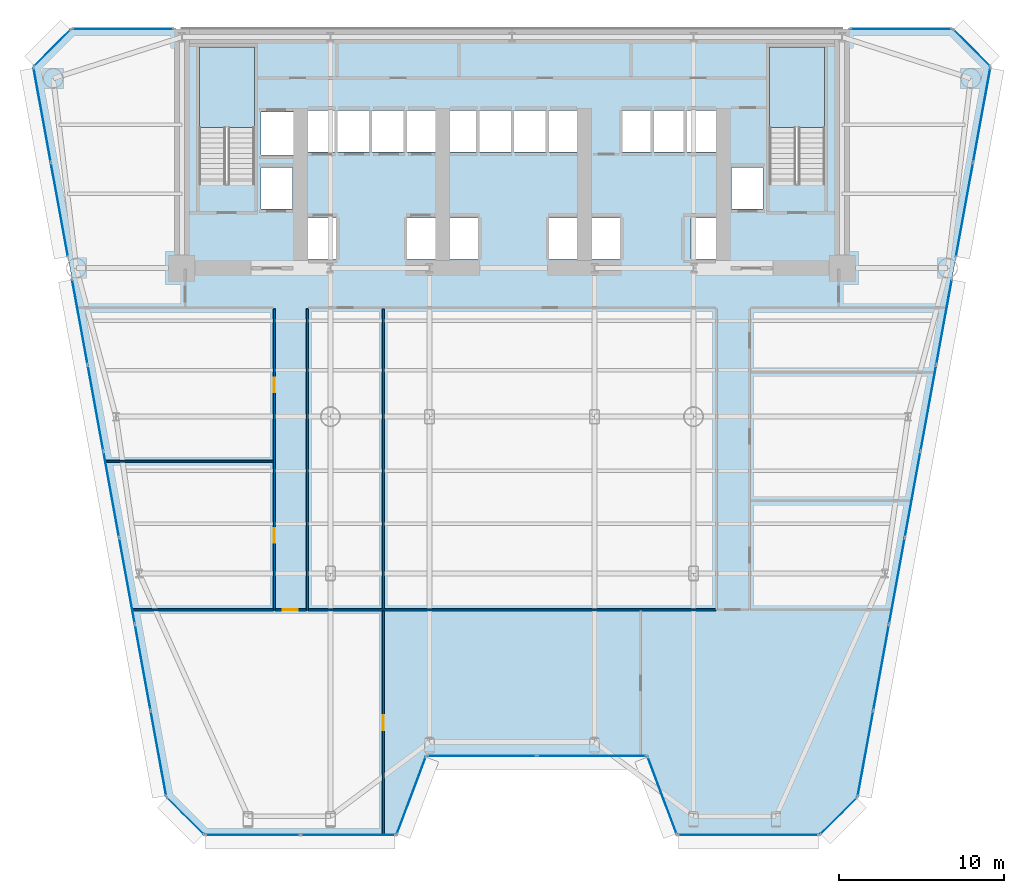
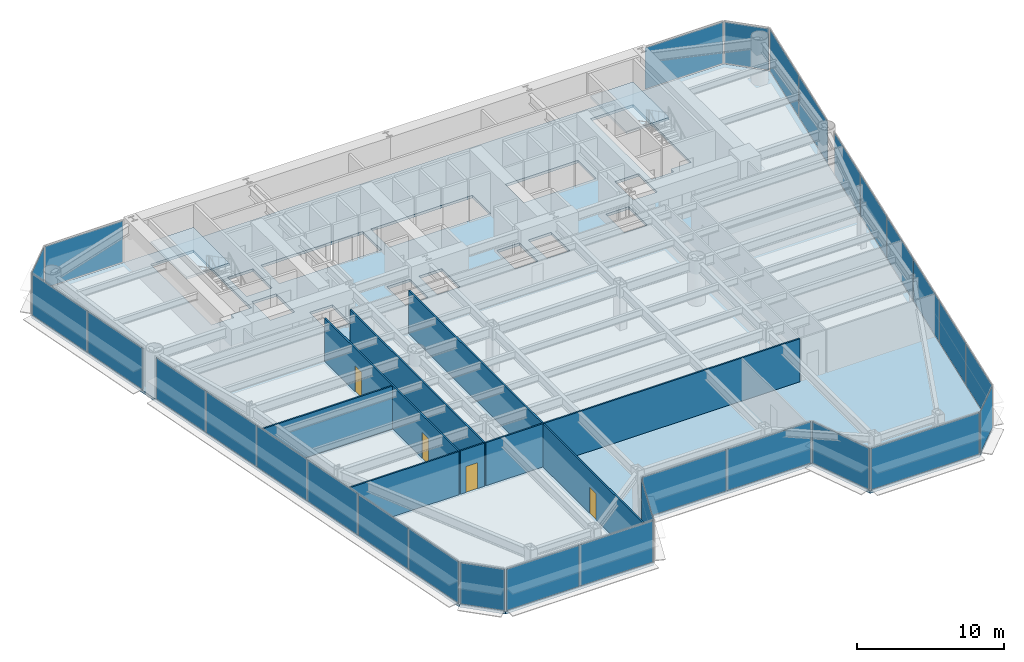
# One storey, part 7 of 14: 29 plates, 8 walls, 4 doors, 3 slabs, 4 openings, 17 elements without a shape of their own.
"""IFC4 building model written with IfcOpenShell, lengths in metres."""

from ifc_helpers import new_model, si_unit, direction, frame, frame_2d, origin, origin_2d, place, context, subcontext, project, spatial, polyline, rectangle, outline, extrude, source, transform, mapped, material, layer, layer_set, type_object, element, fill, aggregate, save


model = new_model("IFC4")

# Units and contexts
model_context = context("Model", 3, precision=1e-05, world=origin(), true_north=direction((0.0, 1.0)))
body_context = subcontext(model_context, "Body", "Model", "MODEL_VIEW")
ifc_project = project(units=[si_unit("LENGTHUNIT", "METRE"), si_unit("AREAUNIT", "SQUARE_METRE"), si_unit("VOLUMEUNIT", "CUBIC_METRE"), si_unit("PLANEANGLEUNIT", "RADIAN"), si_unit("MASSUNIT", "GRAM", prefix="KILO")], contexts=[model_context])

# Site, building, storey
site_placement = place(None, origin())
site = spatial("IfcSite", under=ifc_project, at=site_placement, CompositionType="ELEMENT")
building_placement = place(site_placement, origin())
building = spatial("IfcBuilding", under=site, at=building_placement, Name="Vaeldorn Concourse Tower", CompositionType="ELEMENT")
storey_placement = place(building_placement, frame((0.0, 0.0, 53.0)))
storey = spatial("IfcBuildingStorey", under=building, at=storey_placement, Name="L13", CompositionType="ELEMENT", Elevation=53.0)

# Stair, slab
ifc_material_1 = material(Name="Precast concrete C40/50", Category="concrete")
stair_type = type_object("IfcStairType", Name="STR-DOG-24x158", PredefinedType="HALF_TURN_STAIR", material=ifc_material_1)
stair_1_placement = place(storey_placement, origin())
stair_1 = element("IfcStair", 1, at=stair_1_placement, inside=storey, type_object=stair_type, Name="L13 West Core Exit Stair ST-1", PredefinedType="HALF_TURN_STAIR")
ifc_material_2 = material(Name="Concrete C40/50", Category="concrete")
ifc_layer_1 = layer(ifc_material_2, 0.199951171875)
ifc_layer_set_1 = layer_set([ifc_layer_1], Name="Concrete C40/50")
slab_type_1 = type_object("IfcSlabType", Name="SL-STAIR-LANDING", PredefinedType="LANDING", material=ifc_layer_set_1)
slab_1_placement = place(storey_placement, frame((0.0, 0.0, 1.699951171875)))
slab_1 = element("IfcSlab", 2, at=slab_1_placement, type_object=slab_type_1, Name="ST-1 landing 1", PredefinedType="LANDING", context=body_context, shape_type="SweptSolid", body=[
    extrude(outline(polyline([(18.39990234375, 45.010009765625), (18.39990234375, 49.89990234375), (15.050048828125, 49.89990234375), (15.050048828125, 45.010009765625), (18.39990234375, 45.010009765625)])), origin(), (0.0, 0.0, 1.0), 0.199951171875),
])
aggregate(stair_1, [slab_1])

stair_2_placement = place(storey_placement, origin())
stair_2 = element("IfcStair", 3, at=stair_2_placement, inside=storey, type_object=stair_type, Name="L13 East Core Exit Stair ST-2", PredefinedType="HALF_TURN_STAIR")
slab_2_placement = place(storey_placement, frame((0.0, 0.0, 1.699951171875)))
slab_2 = element("IfcSlab", 4, at=slab_2_placement, type_object=slab_type_1, Name="ST-2 landing 1", PredefinedType="LANDING", context=body_context, shape_type="SweptSolid", body=[
    extrude(outline(polyline([(52.949951171875, 45.010009765625), (52.949951171875, 49.89990234375), (49.60009765625, 49.89990234375), (49.60009765625, 45.010009765625), (52.949951171875, 45.010009765625)])), origin(), (0.0, 0.0, 1.0), 0.199951171875),
])
aggregate(stair_2, [slab_2])

# Slab
ifc_layer_2 = layer(ifc_material_2, 0.219970703125)
ifc_layer_set_2 = layer_set([ifc_layer_2], Name="Concrete C40/50")
slab_type_2 = type_object("IfcSlabType", Name="SL-TYP-220", PredefinedType="FLOOR", material=ifc_layer_set_2)
slab_3_placement = place(storey_placement, frame((0.0, 0.0, -0.219970703125)))
element("IfcSlab", 5, at=slab_3_placement, inside=storey, type_object=slab_type_2, Name="Structural Floor Slab L13", PredefinedType="FLOOR", context=body_context, shape_type="SweptSolid", body=[
    extrude(outline(polyline([(15.360107421875, 2.151611328125), (27.0, 2.151611328125), (28.800048828125, 6.95166015625), (42.199951171875, 6.95166015625), (44.0, 2.151611328125), (52.639892578125, 2.151611328125), (54.93994140625, 4.45166015625), (63.0, 48.699951171875), (60.699951171875, 51.0), (7.300048828125, 51.0), (5.0, 48.699951171875), (13.06005859375, 4.45166015625), (15.360107421875, 2.151611328125)]), holes=[polyline([(18.39990234375, 42.0), (18.39990234375, 49.89990234375), (15.050048828125, 49.89990234375), (15.050048828125, 41.60009765625), (16.800048828125, 41.60009765625), (16.800048828125, 42.0), (18.39990234375, 42.0)]), polyline([(52.949951171875, 42.0), (52.949951171875, 49.89990234375), (49.60009765625, 49.89990234375), (49.60009765625, 41.60009765625), (51.35009765625, 41.60009765625), (51.35009765625, 42.0), (52.949951171875, 42.0)]), polyline([(21.550048828125, 37.050048828125), (23.35009765625, 37.050048828125), (23.35009765625, 39.550048828125), (21.550048828125, 39.550048828125), (21.550048828125, 37.050048828125)]), polyline([(27.64990234375, 37.050048828125), (29.449951171875, 37.050048828125), (29.449951171875, 39.550048828125), (27.64990234375, 39.550048828125), (27.64990234375, 37.050048828125)]), polyline([(21.5, 43.550048828125), (29.5, 43.550048828125), (29.5, 46.050048828125), (21.5, 46.050048828125), (21.5, 43.550048828125)]), polyline([(30.14990234375, 37.050048828125), (31.949951171875, 37.050048828125), (31.949951171875, 39.550048828125), (30.14990234375, 39.550048828125), (30.14990234375, 37.050048828125)]), polyline([(36.25, 37.050048828125), (38.050048828125, 37.050048828125), (38.050048828125, 39.550048828125), (36.25, 39.550048828125), (36.25, 37.050048828125)]), polyline([(30.10009765625, 43.550048828125), (38.10009765625, 43.550048828125), (38.10009765625, 46.050048828125), (30.10009765625, 46.050048828125), (30.10009765625, 43.550048828125)]), polyline([(38.75, 37.050048828125), (40.550048828125, 37.050048828125), (40.550048828125, 39.550048828125), (38.75, 39.550048828125), (38.75, 37.050048828125)]), polyline([(44.85009765625, 37.050048828125), (46.64990234375, 37.050048828125), (46.64990234375, 39.550048828125), (44.85009765625, 39.550048828125), (44.85009765625, 37.050048828125)]), polyline([(40.699951171875, 43.550048828125), (46.39990234375, 43.550048828125), (46.39990234375, 46.050048828125), (40.699951171875, 46.050048828125), (40.699951171875, 43.550048828125)]), polyline([(18.800048828125, 43.35009765625), (20.800048828125, 43.35009765625), (20.800048828125, 45.949951171875), (18.800048828125, 45.949951171875), (18.800048828125, 43.35009765625)]), polyline([(18.800048828125, 40.10009765625), (20.699951171875, 40.10009765625), (20.699951171875, 42.60009765625), (18.800048828125, 42.60009765625), (18.800048828125, 40.10009765625)]), polyline([(47.300048828125, 40.10009765625), (49.199951171875, 40.10009765625), (49.199951171875, 42.60009765625), (47.300048828125, 42.60009765625), (47.300048828125, 40.10009765625)])]), origin(), (0.0, 0.0, 1.0), 0.219970703125),
])

# Curtain wall, plate
ifc_material_3 = material(Name="Anodised Bronze Aluminium", Category="aluminium")
ifc_layer_3 = layer(ifc_material_3, 0.219970703125)
ifc_layer_set_3 = layer_set([ifc_layer_3], Name="Anodised Bronze Aluminium")
curtain_wall_type = type_object("IfcCurtainWallType", Name="CW-SYS-01", PredefinedType="NOTDEFINED", material=ifc_layer_set_3)
curtain_wall_1_placement = place(storey_placement, origin())
curtain_wall_1 = element("IfcCurtainWall", 6, at=curtain_wall_1_placement, inside=storey, type_object=curtain_wall_type, Name="Unitised Curtain Wall CW-L13-E02-1", PredefinedType="NOTDEFINED")
ifc_material_4 = material(Name="Bronze Tinted Low-E Insulated Glass", Category="glass")
ifc_layer_4 = layer(ifc_material_4, 0.031982421875)
ifc_layer_set_4 = layer_set([ifc_layer_4], Name="Bronze Tinted Low-E Insulated Glass")
plate_type = type_object("IfcPlateType", Name="CWP-VISION-32", PredefinedType="CURTAIN_PANEL", material=ifc_layer_set_4)
shared_shape_1 = source(origin(), body_context, "Body", "SweptSolid", [
    extrude(rectangle(XDim=4.976318359375, YDim=0.031982421875, at=origin_2d()), origin(), (0.0, 0.0, 1.0), 3.429931640625),
])
plate_1_placement = place(storey_placement, frame((27.89990234375, 4.5517578125, 0.0751953125), z_axis=(0.0, 0.0, 1.0), x_axis=(0.351123441595, 0.936329177566, 0.0)))
plate_1 = element("IfcPlate", 7, at=plate_1_placement, type_object=plate_type, Name="CW-01 panel 1.1", PredefinedType="CURTAIN_PANEL", context=body_context, shape_type="MappedRepresentation", body=[
    mapped(shared_shape_1, transform((0.0, 0.0, 0.0), scale=1.0)),
])
aggregate(curtain_wall_1, [plate_1])

curtain_wall_2_placement = place(storey_placement, origin())
curtain_wall_2 = element("IfcCurtainWall", 8, at=curtain_wall_2_placement, inside=storey, type_object=curtain_wall_type, Name="Unitised Curtain Wall CW-L13-E04-1", PredefinedType="NOTDEFINED")
plate_2_placement = place(storey_placement, frame((43.10009765625, 4.5517578125, 0.0751953125), z_axis=(0.0, 0.0, 1.0), x_axis=(0.351123441595, -0.936329177566, 0.0)))
plate_2 = element("IfcPlate", 9, at=plate_2_placement, type_object=plate_type, Name="CW-01 panel 1.1", PredefinedType="CURTAIN_PANEL", context=body_context, shape_type="MappedRepresentation", body=[
    mapped(shared_shape_1, transform((0.0, 0.0, 0.0), scale=1.0)),
])
aggregate(curtain_wall_2, [plate_2])

# Curtain wall, plates
curtain_wall_3_placement = place(storey_placement, origin())
curtain_wall_3 = element("IfcCurtainWall", 10, at=curtain_wall_3_placement, inside=storey, type_object=curtain_wall_type, Name="Unitised Curtain Wall CW-L13-E03-1", PredefinedType="NOTDEFINED")
shared_shape_2 = source(origin(), body_context, "Body", "SweptSolid", [
    extrude(rectangle(XDim=6.58740234375, YDim=0.031982421875, at=origin_2d()), origin(), (0.0, 0.0, 1.0), 3.429931640625),
])
plate_3_placement = place(storey_placement, frame((32.168701171875, 6.95166015625, 0.0751953125), z_axis=(0.0, 0.0, 1.0), x_axis=(1.0, 0.0, 0.0)))
plate_3 = element("IfcPlate", 11, at=plate_3_placement, type_object=plate_type, Name="CW-01 panel 1.1", PredefinedType="CURTAIN_PANEL", context=body_context, shape_type="MappedRepresentation", body=[
    mapped(shared_shape_2, transform((0.0, 0.0, 0.0), scale=1.0)),
])
plate_4_placement = place(storey_placement, frame((38.831298828125, 6.95166015625, 0.0751953125), z_axis=(0.0, 0.0, 1.0), x_axis=(1.0, 0.0, 0.0)))
plate_4 = element("IfcPlate", 12, at=plate_4_placement, type_object=plate_type, Name="CW-01 panel 2.1", PredefinedType="CURTAIN_PANEL", context=body_context, shape_type="MappedRepresentation", body=[
    mapped(shared_shape_2, transform((0.0, 0.0, 0.0), scale=1.0)),
])
aggregate(curtain_wall_3, [plate_3, plate_4])

# Curtain wall, plate
curtain_wall_4_placement = place(storey_placement, origin())
curtain_wall_4 = element("IfcCurtainWall", 13, at=curtain_wall_4_placement, inside=storey, type_object=curtain_wall_type, Name="Unitised Curtain Wall CW-L13-E06-1", PredefinedType="NOTDEFINED")
shared_shape_3 = source(origin(), body_context, "Body", "SweptSolid", [
    extrude(rectangle(XDim=3.102783203125, YDim=0.031982421875, at=origin_2d()), origin(), (0.0, 0.0, 1.0), 3.429931640625),
])
plate_5_placement = place(storey_placement, frame((53.7900390625, 3.3017578125, 0.0751953125), z_axis=(0.0, 0.0, 1.0), x_axis=(0.707106781187, 0.707106781187, 0.0)))
plate_5 = element("IfcPlate", 14, at=plate_5_placement, type_object=plate_type, Name="CW-01 panel 1.1", PredefinedType="CURTAIN_PANEL", context=body_context, shape_type="MappedRepresentation", body=[
    mapped(shared_shape_3, transform((0.0, 0.0, 0.0), scale=1.0)),
])
aggregate(curtain_wall_4, [plate_5])

curtain_wall_5_placement = place(storey_placement, origin())
curtain_wall_5 = element("IfcCurtainWall", 15, at=curtain_wall_5_placement, inside=storey, type_object=curtain_wall_type, Name="Unitised Curtain Wall CW-L13-E08-1", PredefinedType="NOTDEFINED")
plate_6_placement = place(storey_placement, frame((61.85009765625, 49.85009765625, 0.0751953125), z_axis=(0.0, 0.0, 1.0), x_axis=(-0.707106781187, 0.707106781187, 0.0)))
plate_6 = element("IfcPlate", 16, at=plate_6_placement, type_object=plate_type, Name="CW-01 panel 1.1", PredefinedType="CURTAIN_PANEL", context=body_context, shape_type="MappedRepresentation", body=[
    mapped(shared_shape_3, transform((0.0, 0.0, 0.0), scale=1.0)),
])
aggregate(curtain_wall_5, [plate_6])

curtain_wall_6_placement = place(storey_placement, origin())
curtain_wall_6 = element("IfcCurtainWall", 17, at=curtain_wall_6_placement, inside=storey, type_object=curtain_wall_type, Name="Unitised Curtain Wall CW-L13-E10-1", PredefinedType="NOTDEFINED")
plate_7_placement = place(storey_placement, frame((6.14990234375, 49.85009765625, 0.0751953125), z_axis=(0.0, 0.0, 1.0), x_axis=(-0.707106781187, -0.707106781187, 0.0)))
plate_7 = element("IfcPlate", 18, at=plate_7_placement, type_object=plate_type, Name="CW-01 panel 1.1", PredefinedType="CURTAIN_PANEL", context=body_context, shape_type="MappedRepresentation", body=[
    mapped(shared_shape_3, transform((0.0, 0.0, 0.0), scale=1.0)),
])
aggregate(curtain_wall_6, [plate_7])

curtain_wall_7_placement = place(storey_placement, origin())
curtain_wall_7 = element("IfcCurtainWall", 19, at=curtain_wall_7_placement, inside=storey, type_object=curtain_wall_type, Name="Unitised Curtain Wall CW-L13-E12-1", PredefinedType="NOTDEFINED")
plate_8_placement = place(storey_placement, frame((14.2099609375, 3.3017578125, 0.0751953125), z_axis=(0.0, 0.0, 1.0), x_axis=(0.707106781187, -0.707106781187, 0.0)))
plate_8 = element("IfcPlate", 20, at=plate_8_placement, type_object=plate_type, Name="CW-01 panel 1.1", PredefinedType="CURTAIN_PANEL", context=body_context, shape_type="MappedRepresentation", body=[
    mapped(shared_shape_3, transform((0.0, 0.0, 0.0), scale=1.0)),
])
aggregate(curtain_wall_7, [plate_8])

curtain_wall_8_placement = place(storey_placement, origin())
curtain_wall_8 = element("IfcCurtainWall", 21, at=curtain_wall_8_placement, inside=storey, type_object=curtain_wall_type, Name="Unitised Curtain Wall CW-L13-E09-1", PredefinedType="NOTDEFINED")
shared_shape_4 = source(origin(), body_context, "Body", "SweptSolid", [
    extrude(rectangle(XDim=6.10498046875, YDim=0.031982421875, at=origin_2d()), origin(), (0.0, 0.0, 1.0), 3.429931640625),
])
plate_9_placement = place(storey_placement, frame((57.572509765625, 51.0, 0.0751953125), z_axis=(0.0, 0.0, 1.0), x_axis=(-1.0, 0.0, 0.0)))
plate_9 = element("IfcPlate", 22, at=plate_9_placement, type_object=plate_type, Name="CW-01 panel 1.1", PredefinedType="CURTAIN_PANEL", context=body_context, shape_type="MappedRepresentation", body=[
    mapped(shared_shape_4, transform((0.0, 0.0, 0.0), scale=1.0)),
])
aggregate(curtain_wall_8, [plate_9])

curtain_wall_9_placement = place(storey_placement, origin())
curtain_wall_9 = element("IfcCurtainWall", 23, at=curtain_wall_9_placement, inside=storey, type_object=curtain_wall_type, Name="Unitised Curtain Wall CW-L13-E09-2", PredefinedType="NOTDEFINED")
plate_10_placement = place(storey_placement, frame((10.427490234375, 51.0, 0.0751953125), z_axis=(0.0, 0.0, 1.0), x_axis=(-1.0, 0.0, 0.0)))
plate_10 = element("IfcPlate", 24, at=plate_10_placement, type_object=plate_type, Name="CW-01 panel 1.1", PredefinedType="CURTAIN_PANEL", context=body_context, shape_type="MappedRepresentation", body=[
    mapped(shared_shape_4, transform((0.0, 0.0, 0.0), scale=1.0)),
])
aggregate(curtain_wall_9, [plate_10])

# Curtain wall, plates
curtain_wall_10_placement = place(storey_placement, origin())
curtain_wall_10 = element("IfcCurtainWall", 25, at=curtain_wall_10_placement, inside=storey, type_object=curtain_wall_type, Name="Unitised Curtain Wall CW-L13-E07-2", PredefinedType="NOTDEFINED")
shared_shape_5 = source(origin(), body_context, "Body", "SweptSolid", [
    extrude(rectangle(XDim=5.77294921875, YDim=0.031982421875, at=origin_2d()), origin(), (0.0, 0.0, 1.0), 3.429931640625),
])
plate_11_placement = place(storey_placement, frame((61.42138671875, 40.032958984375, 0.0751953125), z_axis=(0.0, 0.0, 1.0), x_axis=(0.179202410057, 0.983812226103, 0.0)))
plate_11 = element("IfcPlate", 26, at=plate_11_placement, type_object=plate_type, Name="CW-01 panel 1.1", PredefinedType="CURTAIN_PANEL", context=body_context, shape_type="MappedRepresentation", body=[
    mapped(shared_shape_5, transform((0.0, 0.0, 0.0), scale=1.0)),
])
plate_12_placement = place(storey_placement, frame((62.46923828125, 45.786376953125, 0.0751953125), z_axis=(0.0, 0.0, 1.0), x_axis=(0.179202410057, 0.983812226103, 0.0)))
plate_12 = element("IfcPlate", 27, at=plate_12_placement, type_object=plate_type, Name="CW-01 panel 2.1", PredefinedType="CURTAIN_PANEL", context=body_context, shape_type="MappedRepresentation", body=[
    mapped(shared_shape_5, transform((0.0, 0.0, 0.0), scale=1.0)),
])
aggregate(curtain_wall_10, [plate_11, plate_12])

curtain_wall_11_placement = place(storey_placement, origin())
curtain_wall_11 = element("IfcCurtainWall", 28, at=curtain_wall_11_placement, inside=storey, type_object=curtain_wall_type, Name="Unitised Curtain Wall CW-L13-E11-1", PredefinedType="NOTDEFINED")
plate_13_placement = place(storey_placement, frame((5.53076171875, 45.786376953125, 0.0751953125), z_axis=(0.0, 0.0, 1.0), x_axis=(0.179202410057, -0.983812226103, 0.0)))
plate_13 = element("IfcPlate", 29, at=plate_13_placement, type_object=plate_type, Name="CW-01 panel 1.1", PredefinedType="CURTAIN_PANEL", context=body_context, shape_type="MappedRepresentation", body=[
    mapped(shared_shape_5, transform((0.0, 0.0, 0.0), scale=1.0)),
])
plate_14_placement = place(storey_placement, frame((6.57861328125, 40.032958984375, 0.0751953125), z_axis=(0.0, 0.0, 1.0), x_axis=(0.179202410057, -0.983812226103, 0.0)))
plate_14 = element("IfcPlate", 30, at=plate_14_placement, type_object=plate_type, Name="CW-01 panel 2.1", PredefinedType="CURTAIN_PANEL", context=body_context, shape_type="MappedRepresentation", body=[
    mapped(shared_shape_5, transform((0.0, 0.0, 0.0), scale=1.0)),
])
aggregate(curtain_wall_11, [plate_13, plate_14])

curtain_wall_12_placement = place(storey_placement, origin())
curtain_wall_12 = element("IfcCurtainWall", 31, at=curtain_wall_12_placement, inside=storey, type_object=curtain_wall_type, Name="Unitised Curtain Wall CW-L13-E01-1", PredefinedType="NOTDEFINED")
shared_shape_6 = source(origin(), body_context, "Body", "SweptSolid", [
    extrude(rectangle(XDim=5.70751953125, YDim=0.031982421875, at=origin_2d()), origin(), (0.0, 0.0, 1.0), 3.429931640625),
])
plate_15_placement = place(storey_placement, frame((18.288818359375, 2.151611328125, 0.0751953125), z_axis=(0.0, 0.0, 1.0), x_axis=(1.0, 0.0, 0.0)))
plate_15 = element("IfcPlate", 32, at=plate_15_placement, type_object=plate_type, Name="CW-01 panel 1.1", PredefinedType="CURTAIN_PANEL", context=body_context, shape_type="MappedRepresentation", body=[
    mapped(shared_shape_6, transform((0.0, 0.0, 0.0), scale=1.0)),
])
plate_16_placement = place(storey_placement, frame((24.0712890625, 2.151611328125, 0.0751953125), z_axis=(0.0, 0.0, 1.0), x_axis=(1.0, 0.0, 0.0)))
plate_16 = element("IfcPlate", 33, at=plate_16_placement, type_object=plate_type, Name="CW-01 panel 2.1", PredefinedType="CURTAIN_PANEL", context=body_context, shape_type="MappedRepresentation", body=[
    mapped(shared_shape_6, transform((0.0, 0.0, 0.0), scale=1.0)),
])
aggregate(curtain_wall_12, [plate_15, plate_16])

# Curtain wall, plate
curtain_wall_13_placement = place(storey_placement, origin())
curtain_wall_13 = element("IfcCurtainWall", 34, at=curtain_wall_13_placement, inside=storey, type_object=curtain_wall_type, Name="Unitised Curtain Wall CW-L13-E05-1", PredefinedType="NOTDEFINED")
shared_shape_7 = source(origin(), body_context, "Body", "SweptSolid", [
    extrude(rectangle(XDim=8.489990234375, YDim=0.031982421875, at=origin_2d()), origin(), (0.0, 0.0, 1.0), 3.429931640625),
])
plate_17_placement = place(storey_placement, frame((48.320068359375, 2.151611328125, 0.0751953125), z_axis=(0.0, 0.0, 1.0), x_axis=(1.0, 0.0, 0.0)))
plate_17 = element("IfcPlate", 35, at=plate_17_placement, type_object=plate_type, Name="CW-01 panel 1.1", PredefinedType="CURTAIN_PANEL", context=body_context, shape_type="MappedRepresentation", body=[
    mapped(shared_shape_7, transform((0.0, 0.0, 0.0), scale=1.0)),
])
aggregate(curtain_wall_13, [plate_17])

# Curtain wall, plates
curtain_wall_14_placement = place(storey_placement, origin())
curtain_wall_14 = element("IfcCurtainWall", 36, at=curtain_wall_14_placement, inside=storey, type_object=curtain_wall_type, Name="Unitised Curtain Wall CW-L13-E07-1", PredefinedType="NOTDEFINED")
shared_shape_8 = source(origin(), body_context, "Body", "SweptSolid", [
    extrude(rectangle(XDim=5.2119140625, YDim=0.031982421875, at=origin_2d()), origin(), (0.0, 0.0, 1.0), 3.429931640625),
])
plate_18_placement = place(storey_placement, frame((55.42041015625, 7.089111328125, 0.0751953125), z_axis=(0.0, 0.0, 1.0), x_axis=(0.179205794791, 0.983811609564, 0.0)))
plate_18 = element("IfcPlate", 37, at=plate_18_placement, type_object=plate_type, Name="CW-01 panel 1.1", PredefinedType="CURTAIN_PANEL", context=body_context, shape_type="MappedRepresentation", body=[
    mapped(shared_shape_8, transform((0.0, 0.0, 0.0), scale=1.0)),
])
plate_19_placement = place(storey_placement, frame((60.1845703125, 33.242919921875, 0.0751953125), z_axis=(0.0, 0.0, 1.0), x_axis=(0.179205794791, 0.983811609564, 0.0)))
plate_19 = element("IfcPlate", 38, at=plate_19_placement, type_object=plate_type, Name="CW-01 panel 6.1", PredefinedType="CURTAIN_PANEL", context=body_context, shape_type="MappedRepresentation", body=[
    mapped(shared_shape_8, transform((0.0, 0.0, 0.0), scale=1.0)),
])

curtain_wall_15_placement = place(storey_placement, origin())
curtain_wall_15 = element("IfcCurtainWall", 39, at=curtain_wall_15_placement, inside=storey, type_object=curtain_wall_type, Name="Unitised Curtain Wall CW-L13-E11-2", PredefinedType="NOTDEFINED")
plate_20_placement = place(storey_placement, frame((7.8154296875, 33.242919921875, 0.0751953125), z_axis=(0.0, 0.0, 1.0), x_axis=(0.179205794791, -0.983811609564, 0.0)))
plate_20 = element("IfcPlate", 40, at=plate_20_placement, type_object=plate_type, Name="CW-01 panel 1.1", PredefinedType="CURTAIN_PANEL", context=body_context, shape_type="MappedRepresentation", body=[
    mapped(shared_shape_8, transform((0.0, 0.0, 0.0), scale=1.0)),
])
plate_21_placement = place(storey_placement, frame((12.57958984375, 7.089111328125, 0.0751953125), z_axis=(0.0, 0.0, 1.0), x_axis=(0.179205794791, -0.983811609564, 0.0)))
plate_21 = element("IfcPlate", 41, at=plate_21_placement, type_object=plate_type, Name="CW-01 panel 6.1", PredefinedType="CURTAIN_PANEL", context=body_context, shape_type="MappedRepresentation", body=[
    mapped(shared_shape_8, transform((0.0, 0.0, 0.0), scale=1.0)),
])

# Plate
shared_shape_9 = source(origin(), body_context, "Body", "SweptSolid", [
    extrude(rectangle(XDim=5.249267578125, YDim=0.031982421875, at=origin_2d()), origin(), (0.0, 0.0, 1.0), 3.429931640625),
])
plate_22_placement = place(storey_placement, frame((56.371337890625, 12.308837890625, 0.0751953125), z_axis=(0.0, 0.0, 1.0), x_axis=(0.179205794791, 0.983811609564, 0.0)))
plate_22 = element("IfcPlate", 42, at=plate_22_placement, type_object=plate_type, Name="CW-01 panel 2.1", PredefinedType="CURTAIN_PANEL", context=body_context, shape_type="MappedRepresentation", body=[
    mapped(shared_shape_9, transform((0.0, 0.0, 0.0), scale=1.0)),
])

plate_23_placement = place(storey_placement, frame((57.325439453125, 17.547119140625, 0.0751953125), z_axis=(0.0, 0.0, 1.0), x_axis=(0.179205794791, 0.983811609564, 0.0)))
plate_23 = element("IfcPlate", 43, at=plate_23_placement, type_object=plate_type, Name="CW-01 panel 3.1", PredefinedType="CURTAIN_PANEL", context=body_context, shape_type="MappedRepresentation", body=[
    mapped(shared_shape_9, transform((0.0, 0.0, 0.0), scale=1.0)),
])

plate_24_placement = place(storey_placement, frame((58.279541015625, 22.78515625, 0.0751953125), z_axis=(0.0, 0.0, 1.0), x_axis=(0.179205794791, 0.983811609564, 0.0)))
plate_24 = element("IfcPlate", 44, at=plate_24_placement, type_object=plate_type, Name="CW-01 panel 4.1", PredefinedType="CURTAIN_PANEL", context=body_context, shape_type="MappedRepresentation", body=[
    mapped(shared_shape_9, transform((0.0, 0.0, 0.0), scale=1.0)),
])

plate_25_placement = place(storey_placement, frame((59.233642578125, 28.023193359375, 0.0751953125), z_axis=(0.0, 0.0, 1.0), x_axis=(0.179205794791, 0.983811609564, 0.0)))
plate_25 = element("IfcPlate", 45, at=plate_25_placement, type_object=plate_type, Name="CW-01 panel 5.1", PredefinedType="CURTAIN_PANEL", context=body_context, shape_type="MappedRepresentation", body=[
    mapped(shared_shape_9, transform((0.0, 0.0, 0.0), scale=1.0)),
])

aggregate(curtain_wall_14, [plate_18, plate_22, plate_23, plate_24, plate_25, plate_19])

plate_26_placement = place(storey_placement, frame((8.766357421875, 28.023193359375, 0.0751953125), z_axis=(0.0, 0.0, 1.0), x_axis=(0.179205794791, -0.983811609564, 0.0)))
plate_26 = element("IfcPlate", 46, at=plate_26_placement, type_object=plate_type, Name="CW-01 panel 2.1", PredefinedType="CURTAIN_PANEL", context=body_context, shape_type="MappedRepresentation", body=[
    mapped(shared_shape_9, transform((0.0, 0.0, 0.0), scale=1.0)),
])

plate_27_placement = place(storey_placement, frame((9.720458984375, 22.78515625, 0.0751953125), z_axis=(0.0, 0.0, 1.0), x_axis=(0.179205794791, -0.983811609564, 0.0)))
plate_27 = element("IfcPlate", 47, at=plate_27_placement, type_object=plate_type, Name="CW-01 panel 3.1", PredefinedType="CURTAIN_PANEL", context=body_context, shape_type="MappedRepresentation", body=[
    mapped(shared_shape_9, transform((0.0, 0.0, 0.0), scale=1.0)),
])

plate_28_placement = place(storey_placement, frame((10.674560546875, 17.547119140625, 0.0751953125), z_axis=(0.0, 0.0, 1.0), x_axis=(0.179205794791, -0.983811609564, 0.0)))
plate_28 = element("IfcPlate", 48, at=plate_28_placement, type_object=plate_type, Name="CW-01 panel 4.1", PredefinedType="CURTAIN_PANEL", context=body_context, shape_type="MappedRepresentation", body=[
    mapped(shared_shape_9, transform((0.0, 0.0, 0.0), scale=1.0)),
])

plate_29_placement = place(storey_placement, frame((11.628662109375, 12.308837890625, 0.0751953125), z_axis=(0.0, 0.0, 1.0), x_axis=(0.179205794791, -0.983811609564, 0.0)))
plate_29 = element("IfcPlate", 49, at=plate_29_placement, type_object=plate_type, Name="CW-01 panel 5.1", PredefinedType="CURTAIN_PANEL", context=body_context, shape_type="MappedRepresentation", body=[
    mapped(shared_shape_9, transform((0.0, 0.0, 0.0), scale=1.0)),
])

aggregate(curtain_wall_15, [plate_20, plate_26, plate_27, plate_28, plate_29, plate_21])

# Wall, openings, doors
ifc_material_5 = material(Name="Gypsum Board Partition", Category="gypsum")
ifc_layer_5 = layer(ifc_material_5, 0.1201171875)
ifc_layer_set_5 = layer_set([ifc_layer_5], Name="Gypsum Board Partition")
wall_type = type_object("IfcWallType", Name="WL-PART-120", PredefinedType="PARTITIONING", material=ifc_layer_set_5)
wall_1_placement = place(storey_placement, frame((19.60009765625, 15.800048828125, 0.0), z_axis=(0.0, 0.0, 1.0), x_axis=(0.0, 1.0, 0.0)))
wall_1 = element("IfcWall", 50, at=wall_1_placement, inside=storey, type_object=wall_type, Name="Interior Wall PW-L13-CWW", PredefinedType="PARTITIONING", context=body_context, shape_type="SweptSolid", body=[
    extrude(rectangle(XDim=18.239990234375, YDim=0.1201171875, at=frame_2d((9.1201171875, 0.0))), origin(), (0.0, 0.0, 1.0), 3.580078125),
])
opening_1_placement = place(wall_1_placement, frame((4.050048828125, 0.0, 0.0)))
opening_1 = element("IfcOpeningElement", 51, at=opening_1_placement, cuts=wall_1, Name="Opening D-03", PredefinedType="OPENING", context=body_context, shape_type="SweptSolid", body=[
    extrude(rectangle(XDim=0.89990234375, YDim=2.14990234375, at=frame_2d((0.449951171875, 1.074951171875))), frame((0.0, 0.070068359375, 0.0), z_axis=(0.0, -1.0, 0.0), x_axis=(1.0, 0.0, 0.0)), (0.0, 0.0, 1.0), 0.14013671875),
])
opening_2_placement = place(wall_1_placement, frame((13.169921875, 0.0, 0.0)))
opening_2 = element("IfcOpeningElement", 52, at=opening_2_placement, cuts=wall_1, Name="Opening D-03", PredefinedType="OPENING", context=body_context, shape_type="SweptSolid", body=[
    extrude(rectangle(XDim=0.89990234375, YDim=2.14990234375, at=frame_2d((0.449951171875, 1.074951171875))), frame((0.0, 0.070068359375, 0.0), z_axis=(0.0, -1.0, 0.0), x_axis=(1.0, 0.0, 0.0)), (0.0, 0.0, 1.0), 0.14013671875),
])
ifc_material_6 = material(Name="Acoustic Bronze-Framed Glass Door", Category="glass")
door_type = type_object("IfcDoorType", Name="DR-INT-900", OperationType="NOTDEFINED", PredefinedType="DOOR", material=ifc_material_6)
shared_shape_10 = source(origin(), body_context, "Body", "SweptSolid", [
    extrude(rectangle(XDim=0.89990234375, YDim=2.14990234375, at=frame_2d((0.449951171875, 1.074951171875))), frame((0.0, 0.02490234375, 0.0), z_axis=(0.0, -1.0, 0.0), x_axis=(1.0, 0.0, 0.0)), (0.0, 0.0, 1.0), 0.050048828125),
])
door_1_placement = place(opening_1_placement, origin())
door_1 = element("IfcDoor", 53, at=door_1_placement, inside=storey, type_object=door_type, Name="Interior Door DR-L13-W1", OperationType="SINGLE_SWING_LEFT", OverallHeight=2.14990234375, OverallWidth=0.89990234375, PredefinedType="DOOR", context=body_context, shape_type="MappedRepresentation", body=[
    mapped(shared_shape_10, transform((0.0, 0.0, 0.0), scale=1.0)),
])
fill(opening_1, door_1)
door_2_placement = place(opening_2_placement, origin())
door_2 = element("IfcDoor", 54, at=door_2_placement, inside=storey, type_object=door_type, Name="Interior Door DR-L13-W2", OperationType="SINGLE_SWING_RIGHT", OverallHeight=2.14990234375, OverallWidth=0.89990234375, PredefinedType="DOOR", context=body_context, shape_type="MappedRepresentation", body=[
    mapped(shared_shape_10, transform((0.0, 0.0, 0.0), scale=1.0)),
])
fill(opening_2, door_2)

# Wall
wall_2_placement = place(storey_placement, frame((21.60009765625, 15.800048828125, 0.0), z_axis=(0.0, 0.0, 1.0), x_axis=(0.0, 1.0, 0.0)))
element("IfcWall", 55, at=wall_2_placement, inside=storey, type_object=wall_type, Name="Interior Wall PW-L13-CWE", PredefinedType="PARTITIONING", context=body_context, shape_type="SweptSolid", body=[
    extrude(rectangle(XDim=18.239990234375, YDim=0.1201171875, at=frame_2d((9.1201171875, 0.0))), origin(), (0.0, 0.0, 1.0), 3.580078125),
])

# Wall, opening, door
wall_3_placement = place(storey_placement, frame((19.659912109375, 15.800048828125, 0.0), z_axis=(0.0, 0.0, 1.0), x_axis=(1.0, 0.0, 0.0)))
wall_3 = element("IfcWall", 56, at=wall_3_placement, inside=storey, type_object=wall_type, Name="Interior Wall PW-L13-CWS", PredefinedType="PARTITIONING", context=body_context, shape_type="SweptSolid", body=[
    extrude(rectangle(XDim=1.880126953125, YDim=0.1201171875, at=frame_2d((0.93994140625, 0.0))), origin(), (0.0, 0.0, 1.0), 3.580078125),
])
opening_3_placement = place(wall_3_placement, frame((0.449951171875, 0.0, 0.0)))
opening_3 = element("IfcOpeningElement", 57, at=opening_3_placement, cuts=wall_3, Name="Opening D-03", PredefinedType="OPENING", context=body_context, shape_type="SweptSolid", body=[
    extrude(rectangle(XDim=0.89990234375, YDim=2.14990234375, at=frame_2d((0.449951171875, 1.074951171875))), frame((0.0, 0.070068359375, 0.0), z_axis=(0.0, -1.0, 0.0), x_axis=(1.0, 0.0, 0.0)), (0.0, 0.0, 1.0), 0.14013671875),
])
door_3_placement = place(opening_3_placement, origin())
door_3 = element("IfcDoor", 58, at=door_3_placement, inside=storey, type_object=door_type, Name="Interior Door DR-L13-SWL", OperationType="SINGLE_SWING_LEFT", OverallHeight=2.14990234375, OverallWidth=0.89990234375, PredefinedType="DOOR", context=body_context, shape_type="MappedRepresentation", body=[
    mapped(shared_shape_10, transform((0.0, 0.0, 0.0), scale=1.0)),
])
fill(opening_3, door_3)

# Walls
wall_4_placement = place(storey_placement, frame((11.032958984375, 15.800048828125, 0.0), z_axis=(0.0, 0.0, 1.0), x_axis=(1.0, 0.0, 0.0)))
element("IfcWall", 59, at=wall_4_placement, inside=storey, type_object=wall_type, Name="Interior Wall PW-L13-WY0", PredefinedType="PARTITIONING", context=body_context, shape_type="SweptSolid", body=[
    extrude(rectangle(XDim=8.507080078125, YDim=0.1201171875, at=frame_2d((4.25341796875, 0.0))), origin(), (0.0, 0.0, 1.0), 3.580078125),
])
wall_5_placement = place(storey_placement, frame((9.3935546875, 24.800048828125, 0.0), z_axis=(0.0, 0.0, 1.0), x_axis=(1.0, 0.0, 0.0)))
element("IfcWall", 60, at=wall_5_placement, inside=storey, type_object=wall_type, Name="Interior Wall PW-L13-WY1", PredefinedType="PARTITIONING", context=body_context, shape_type="SweptSolid", body=[
    extrude(rectangle(XDim=10.146484375, YDim=0.1201171875, at=frame_2d((5.0732421875, 0.0))), origin(), (0.0, 0.0, 1.0), 3.580078125),
])
wall_6_placement = place(storey_placement, frame((21.659912109375, 15.800048828125, 0.0), z_axis=(0.0, 0.0, 1.0), x_axis=(1.0, 0.0, 0.0)))
element("IfcWall", 61, at=wall_6_placement, inside=storey, type_object=wall_type, Name="Interior Wall PW-L13-HUBS", PredefinedType="PARTITIONING", context=body_context, shape_type="SweptSolid", body=[
    extrude(rectangle(XDim=24.68017578125, YDim=0.1201171875, at=frame_2d((12.340087890625, 0.0))), origin(), (0.0, 0.0, 1.0), 3.580078125),
])
wall_7_placement = place(storey_placement, frame((26.199951171875, 15.860107421875, 0.0), z_axis=(0.0, 0.0, 1.0), x_axis=(0.0, 1.0, 0.0)))
element("IfcWall", 62, at=wall_7_placement, inside=storey, type_object=wall_type, Name="Interior Wall PW-L13-HX1", PredefinedType="PARTITIONING", context=body_context, shape_type="SweptSolid", body=[
    extrude(rectangle(XDim=18.179931640625, YDim=0.1201171875, at=frame_2d((9.08984375, 0.0))), origin(), (0.0, 0.0, 1.0), 3.580078125),
])

# Wall, opening, door
wall_8_placement = place(storey_placement, frame((26.199951171875, 2.191650390625, 0.0), z_axis=(0.0, 0.0, 1.0), x_axis=(0.0, 1.0, 0.0)))
wall_8 = element("IfcWall", 63, at=wall_8_placement, inside=storey, type_object=wall_type, Name="Interior Wall PW-L13-SMID1", PredefinedType="PARTITIONING", context=body_context, shape_type="SweptSolid", body=[
    extrude(rectangle(XDim=13.54833984375, YDim=0.1201171875, at=frame_2d((6.774169921875, 0.0))), origin(), (0.0, 0.0, 1.0), 3.580078125),
])
opening_4_placement = place(wall_8_placement, frame((6.323974609375, 0.0, 0.0)))
opening_4 = element("IfcOpeningElement", 64, at=opening_4_placement, cuts=wall_8, Name="Opening D-03", PredefinedType="OPENING", context=body_context, shape_type="SweptSolid", body=[
    extrude(rectangle(XDim=0.89990234375, YDim=2.14990234375, at=frame_2d((0.449951171875, 1.074951171875))), frame((0.0, 0.070068359375, 0.0), z_axis=(0.0, -1.0, 0.0), x_axis=(1.0, 0.0, 0.0)), (0.0, 0.0, 1.0), 0.14013671875),
])
door_4_placement = place(opening_4_placement, origin())
door_4 = element("IfcDoor", 65, at=door_4_placement, inside=storey, type_object=door_type, Name="Interior Door DR-L13-SMID1", OperationType="SINGLE_SWING_RIGHT", OverallHeight=2.14990234375, OverallWidth=0.89990234375, PredefinedType="DOOR", context=body_context, shape_type="MappedRepresentation", body=[
    mapped(shared_shape_10, transform((0.0, 0.0, 0.0), scale=1.0)),
])
fill(opening_4, door_4)

save(model, "model.ifc")
